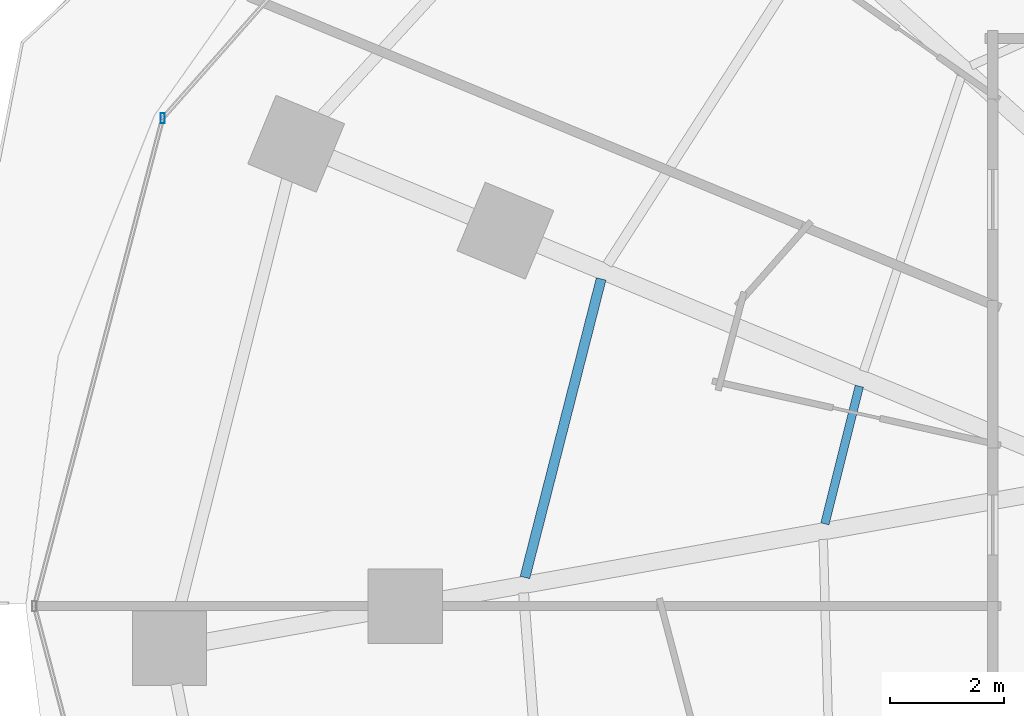
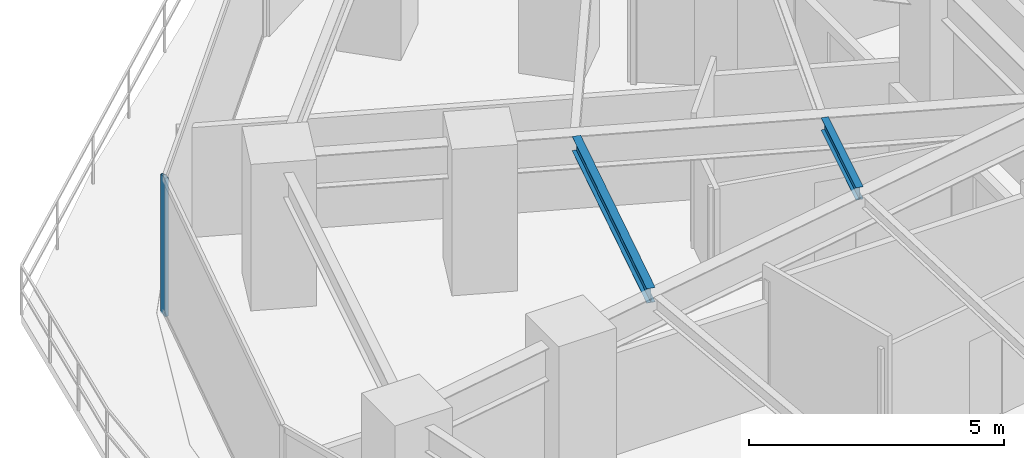
# One storey, part 10 of 36: 2 beams, 1 member, 1 element without a shape of its own.
"""IFC4 building model written with IfcOpenShell, lengths in metres."""

from ifc_helpers import new_model, si_unit, direction, frame, origin, origin_2d, place, context, subcontext, project, spatial, hollow_rectangle, i_section, extrude, material, material_profile, profile_set, type_object, element, aggregate, save


model = new_model("IFC4")

# Units and contexts
model_context = context("Model", 3, precision=1e-05, world=origin(), true_north=direction((0.0, 1.0)))
body_context = subcontext(model_context, "Body", "Model", "MODEL_VIEW")
ifc_project = project(units=[si_unit("LENGTHUNIT", "METRE"), si_unit("AREAUNIT", "SQUARE_METRE"), si_unit("VOLUMEUNIT", "CUBIC_METRE"), si_unit("PLANEANGLEUNIT", "RADIAN"), si_unit("MASSUNIT", "GRAM", prefix="KILO")], contexts=[model_context])

# Site, building, storey
site_placement = place(None, origin())
site = spatial("IfcSite", under=ifc_project, at=site_placement, CompositionType="ELEMENT")
building_placement = place(site_placement, origin())
building = spatial("IfcBuilding", under=site, at=building_placement, Name="Vorneva Point Tower", CompositionType="ELEMENT")
storey_placement = place(building_placement, frame((0.0, 0.0, 24.0)))
storey = spatial("IfcBuildingStorey", under=building, at=storey_placement, Name="L05", CompositionType="ELEMENT", Elevation=24.0)

# Beams
ifc_material_1 = material(Name="Steel S355", Category="steel")
ifc_material_profile_1 = material_profile(ifc_material_1, i_section(OverallWidth=0.14892578125, OverallDepth=0.298095703125, WebThickness=0.005615234375, FlangeThickness=0.008056640625, at=origin_2d()), Name="30B1")
ifc_profile_set_1 = profile_set([ifc_material_profile_1], Name="Steel S355")
beam_type_1 = type_object("IfcBeamType", Name="BM-JST-30B1", PredefinedType="JOIST", material=ifc_profile_set_1)
beam_1_placement = place(storey_placement, frame((22.910400390625, 29.855712890625, 3.091064453125), z_axis=(-0.242373869631, -0.970182924669, 0.0), x_axis=(0.970182924669, -0.242373869631, 0.0)))
element("IfcBeam", 1, at=beam_1_placement, inside=storey, type_object=beam_type_1, Name="L05 Secondary Floor Beam 2.08", PredefinedType="JOIST", context=body_context, shape_type="SweptSolid", body=[
    extrude(i_section(OverallWidth=0.14892578125, OverallDepth=0.298095703125, WebThickness=0.005615234375, FlangeThickness=0.008056640625, at=origin_2d()), origin(), (0.0, 0.0, 1.0), 2.486083984375),
])
ifc_material_profile_2 = material_profile(ifc_material_1, i_section(OverallWidth=0.174072265625, OverallDepth=0.345947265625, WebThickness=0.006103515625, FlangeThickness=0.009033203125, at=origin_2d()), Name="35B1")
ifc_profile_set_2 = profile_set([ifc_material_profile_2], Name="Steel S355")
beam_type_2 = type_object("IfcBeamType", Name="BM-SEC-35B1", PredefinedType="BEAM", material=ifc_profile_set_2)
beam_2_placement = place(storey_placement, frame((18.385009765625, 31.736083984375, 3.06689453125), z_axis=(-0.247350740472, -0.96892600914, 0.0), x_axis=(0.96892600914, -0.247350740472, 0.0)))
element("IfcBeam", 2, at=beam_2_placement, inside=storey, type_object=beam_type_2, Name="L05 Secondary Floor Beam 1.08", PredefinedType="BEAM", context=body_context, shape_type="SweptSolid", body=[
    extrude(i_section(OverallWidth=0.174072265625, OverallDepth=0.345947265625, WebThickness=0.006103515625, FlangeThickness=0.009033203125, at=origin_2d()), origin(), (0.0, 0.0, 1.0), 5.40087890625),
])

# Curtain wall, member
ifc_material_2 = material(Name="Pale anodised aluminium", Category="aluminium")
curtain_wall_type = type_object("IfcCurtainWallType", Name="CW-HTL-SYS", PredefinedType="NOTDEFINED", material=ifc_material_2)
curtain_wall_placement = place(storey_placement, origin())
curtain_wall = element("IfcCurtainWall", 3, at=curtain_wall_placement, inside=storey, type_object=curtain_wall_type, Name="L05 Unitised Curtain Wall CW-L05-R03", PredefinedType="NOTDEFINED")
ifc_material_profile_3 = material_profile(ifc_material_2, hollow_rectangle(XDim=0.074951171875, YDim=0.179931640625, WallThickness=0.00390625, at=origin_2d()), Name="AL-MUL 180x75x4")
ifc_profile_set_3 = profile_set([ifc_material_profile_3], Name="Pale anodised aluminium")
member_type = type_object("IfcMemberType", Name="CW-MUL-180", PredefinedType="MULLION", material=ifc_profile_set_3)
member_placement = place(storey_placement, frame((10.699462890625, 34.552978515625, -0.0400390625), z_axis=(0.0, 0.0, 1.0), x_axis=(1.0, 0.0, 0.0)))
member = element("IfcMember", 4, at=member_placement, type_object=member_type, Name="CW-L05-R03 Mullion 02", PredefinedType="MULLION", context=body_context, shape_type="SweptSolid", body=[
    extrude(hollow_rectangle(XDim=0.074951171875, YDim=0.179931640625, WallThickness=0.00390625, at=origin_2d()), origin(), (0.0, 0.0, 1.0), 3.31005859375),
])
aggregate(curtain_wall, [member])

save(model, "model.ifc")
